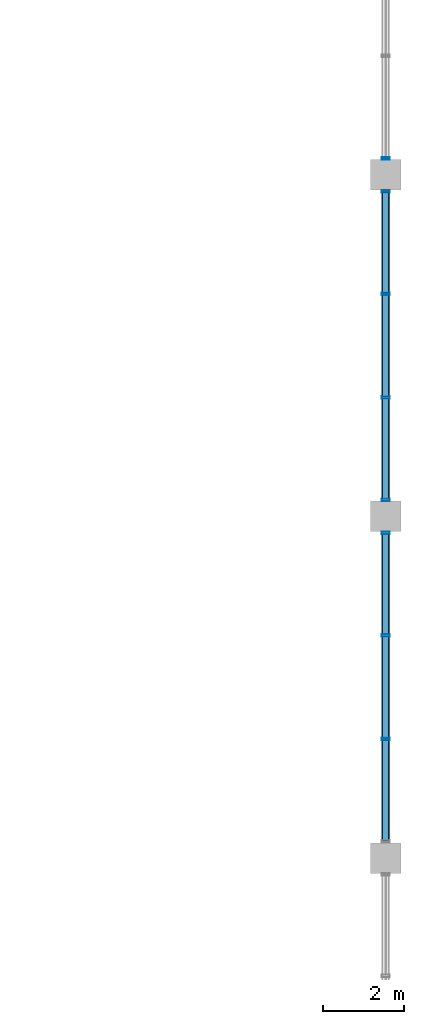
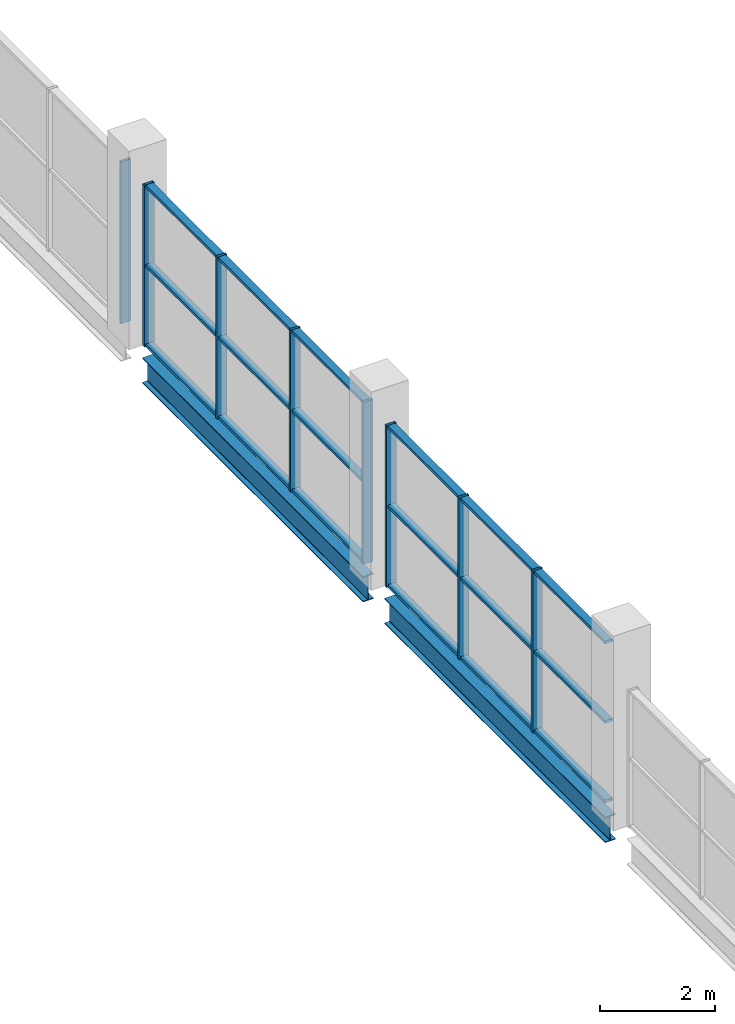
# One storey, part 25 of 68: 26 members, 2 beams, 3 elements without a shape of their own.
"""IFC4 building model written with IfcOpenShell, lengths in metres."""

from ifc_helpers import new_model, si_unit, direction, frame, origin, origin_2d, place, context, subcontext, project, spatial, hollow_rectangle, i_section, extrude, material, material_profile, profile_set, type_object, element, aggregate, save


model = new_model("IFC4")

# Units and contexts
model_context = context("Model", 3, precision=1e-05, world=origin(), true_north=direction((0.0, 1.0)))
body_context = subcontext(model_context, "Body", "Model", "MODEL_VIEW")
ifc_project = project(units=[si_unit("LENGTHUNIT", "METRE"), si_unit("AREAUNIT", "SQUARE_METRE"), si_unit("VOLUMEUNIT", "CUBIC_METRE"), si_unit("PLANEANGLEUNIT", "RADIAN"), si_unit("MASSUNIT", "GRAM", prefix="KILO"), si_unit("THERMODYNAMICTEMPERATUREUNIT", "KELVIN")], contexts=[model_context])

# Site, building, storey
site_placement = place(None, origin())
site = spatial("IfcSite", under=ifc_project, at=site_placement, CompositionType="ELEMENT")
building_placement = place(site_placement, origin())
building = spatial("IfcBuilding", under=site, at=building_placement, Name="Nduvali Passage Aquatics Centre", CompositionType="ELEMENT")
storey_placement = place(building_placement, frame((0.0, 0.0, 13.199951171875)))
storey = spatial("IfcBuildingStorey", under=building, at=storey_placement, Name="L03", CompositionType="ELEMENT", Elevation=13.199951171875)

# Curtain wall, members
ifc_material_1 = material(Name="Aluminium EN AW-6063 T6", Category="aluminium")
curtain_wall_type = type_object("IfcCurtainWallType", Name="ENV-CW-CLER", PredefinedType="NOTDEFINED", material=ifc_material_1)
curtain_wall_1_placement = place(storey_placement, origin())
curtain_wall_1 = element("IfcCurtainWall", 1, at=curtain_wall_1_placement, inside=storey, type_object=curtain_wall_type, Name="L03 East Passage Pool Hall High Arch Clerestory 021", PredefinedType="NOTDEFINED")
ifc_material_profile_1 = material_profile(ifc_material_1, hollow_rectangle(XDim=0.06005859375, YDim=0.199951171875, WallThickness=0.00390625, at=origin_2d()), Name="ALU MULLION 60x200x4")
ifc_profile_set_1 = profile_set([ifc_material_profile_1], Name="Aluminium EN AW-6063 T6")
member_type_1 = type_object("IfcMemberType", Name="ENV-MEM-MUL80", PredefinedType="MULLION", material=ifc_profile_set_1)
member_1_placement = place(storey_placement, frame((126.0, 36.52490234375, 0.0), z_axis=(0.0, 0.0, 1.0), x_axis=(0.0, 1.0, 0.0)))
member_1 = element("IfcMember", 2, at=member_1_placement, type_object=member_type_1, Name="East Passage Pool Hall High Arch Clerestory Mullion 2", PredefinedType="MULLION", context=body_context, shape_type="SweptSolid", body=[
    extrude(hollow_rectangle(XDim=0.06005859375, YDim=0.199951171875, WallThickness=0.00390625, at=origin_2d()), origin(), (0.0, 0.0, 1.0), 3.4267578125),
])
member_2_placement = place(storey_placement, frame((126.0, 39.074951171875, 0.0), z_axis=(0.0, 0.0, 1.0), x_axis=(0.0, 1.0, 0.0)))
member_2 = element("IfcMember", 3, at=member_2_placement, type_object=member_type_1, Name="East Passage Pool Hall High Arch Clerestory Mullion 3", PredefinedType="MULLION", context=body_context, shape_type="SweptSolid", body=[
    extrude(hollow_rectangle(XDim=0.06005859375, YDim=0.199951171875, WallThickness=0.00390625, at=origin_2d()), origin(), (0.0, 0.0, 1.0), 3.4267578125),
])
member_3_placement = place(storey_placement, frame((126.0, 41.594970703125, 0.0), z_axis=(0.0, 0.0, 1.0), x_axis=(0.0, 1.0, 0.0)))
member_3 = element("IfcMember", 4, at=member_3_placement, type_object=member_type_1, Name="East Passage Pool Hall High Arch Clerestory Mullion 4", PredefinedType="MULLION", context=body_context, shape_type="SweptSolid", body=[
    extrude(hollow_rectangle(XDim=0.06005859375, YDim=0.199951171875, WallThickness=0.00390625, at=origin_2d()), origin(), (0.0, 0.0, 1.0), 3.4267578125),
])

curtain_wall_2_placement = place(storey_placement, origin())
curtain_wall_2 = element("IfcCurtainWall", 5, at=curtain_wall_2_placement, inside=storey, type_object=curtain_wall_type, Name="L03 East Passage Pool Hall High Arch Clerestory 025", PredefinedType="NOTDEFINED")
member_4_placement = place(storey_placement, frame((126.0, 42.405029296875, 0.0), z_axis=(0.0, 0.0, 1.0), x_axis=(0.0, 1.0, 0.0)))
member_4 = element("IfcMember", 6, at=member_4_placement, type_object=member_type_1, Name="East Passage Pool Hall High Arch Clerestory Mullion 1", PredefinedType="MULLION", context=body_context, shape_type="SweptSolid", body=[
    extrude(hollow_rectangle(XDim=0.06005859375, YDim=0.199951171875, WallThickness=0.00390625, at=origin_2d()), origin(), (0.0, 0.0, 1.0), 3.4267578125),
])
member_5_placement = place(storey_placement, frame((126.0, 44.925048828125, 0.0), z_axis=(0.0, 0.0, 1.0), x_axis=(0.0, 1.0, 0.0)))
member_5 = element("IfcMember", 7, at=member_5_placement, type_object=member_type_1, Name="East Passage Pool Hall High Arch Clerestory Mullion 2", PredefinedType="MULLION", context=body_context, shape_type="SweptSolid", body=[
    extrude(hollow_rectangle(XDim=0.06005859375, YDim=0.199951171875, WallThickness=0.00390625, at=origin_2d()), origin(), (0.0, 0.0, 1.0), 3.4267578125),
])
member_6_placement = place(storey_placement, frame((126.0, 47.47509765625, 0.0), z_axis=(0.0, 0.0, 1.0), x_axis=(0.0, 1.0, 0.0)))
member_6 = element("IfcMember", 8, at=member_6_placement, type_object=member_type_1, Name="East Passage Pool Hall High Arch Clerestory Mullion 3", PredefinedType="MULLION", context=body_context, shape_type="SweptSolid", body=[
    extrude(hollow_rectangle(XDim=0.06005859375, YDim=0.199951171875, WallThickness=0.00390625, at=origin_2d()), origin(), (0.0, 0.0, 1.0), 3.4267578125),
])
member_7_placement = place(storey_placement, frame((126.0, 49.9951171875, 0.0), z_axis=(0.0, 0.0, 1.0), x_axis=(0.0, 1.0, 0.0)))
member_7 = element("IfcMember", 9, at=member_7_placement, type_object=member_type_1, Name="East Passage Pool Hall High Arch Clerestory Mullion 4", PredefinedType="MULLION", context=body_context, shape_type="SweptSolid", body=[
    extrude(hollow_rectangle(XDim=0.06005859375, YDim=0.199951171875, WallThickness=0.00390625, at=origin_2d()), origin(), (0.0, 0.0, 1.0), 3.4267578125),
])

# Curtain wall, member
curtain_wall_3_placement = place(storey_placement, origin())
curtain_wall_3 = element("IfcCurtainWall", 10, at=curtain_wall_3_placement, inside=storey, type_object=curtain_wall_type, Name="L03 East Passage Pool Hall High Arch Clerestory 029", PredefinedType="NOTDEFINED")
member_8_placement = place(storey_placement, frame((126.0, 50.804931640625, 0.0), z_axis=(0.0, 0.0, 1.0), x_axis=(0.0, 1.0, 0.0)))
member_8 = element("IfcMember", 11, at=member_8_placement, type_object=member_type_1, Name="East Passage Pool Hall High Arch Clerestory Mullion 1", PredefinedType="MULLION", context=body_context, shape_type="SweptSolid", body=[
    extrude(hollow_rectangle(XDim=0.06005859375, YDim=0.199951171875, WallThickness=0.00390625, at=origin_2d()), origin(), (0.0, 0.0, 1.0), 3.4267578125),
])
aggregate(curtain_wall_3, [member_8])

# Member
ifc_material_profile_2 = material_profile(ifc_material_1, hollow_rectangle(XDim=0.14990234375, YDim=0.06005859375, WallThickness=0.00390625, at=origin_2d()), Name="ALU TRANSOM 150x60x4")
ifc_profile_set_2 = profile_set([ifc_material_profile_2], Name="Aluminium EN AW-6063 T6")
member_type_2 = type_object("IfcMemberType", Name="ENV-MEM-TRN80", PredefinedType="USERDEFINED", material=ifc_profile_set_2)
member_9_placement = place(storey_placement, frame((126.0, 34.034912109375, 0.030029296875), z_axis=(0.0, 1.0, 0.0), x_axis=(-1.0, 0.0, 0.0)))
member_9 = element("IfcMember", 12, at=member_9_placement, type_object=member_type_2, Name="East Passage Pool Hall High Arch Clerestory Transom B1-R0", ObjectType="TRANSOM", PredefinedType="USERDEFINED", context=body_context, shape_type="SweptSolid", body=[
    extrude(hollow_rectangle(XDim=0.14990234375, YDim=0.06005859375, WallThickness=0.00390625, at=origin_2d()), origin(), (0.0, 0.0, 1.0), 2.460205078125),
])

member_10_placement = place(storey_placement, frame((126.0, 34.034912109375, 1.71337890625), z_axis=(0.0, 1.0, 0.0), x_axis=(-1.0, 0.0, 0.0)))
member_10 = element("IfcMember", 13, at=member_10_placement, type_object=member_type_2, Name="East Passage Pool Hall High Arch Clerestory Transom B1-R1", ObjectType="TRANSOM", PredefinedType="USERDEFINED", context=body_context, shape_type="SweptSolid", body=[
    extrude(hollow_rectangle(XDim=0.14990234375, YDim=0.06005859375, WallThickness=0.00390625, at=origin_2d()), origin(), (0.0, 0.0, 1.0), 2.460205078125),
])

member_11_placement = place(storey_placement, frame((126.0, 34.034912109375, 3.396728515625), z_axis=(0.0, 1.0, 0.0), x_axis=(-1.0, 0.0, 0.0)))
member_11 = element("IfcMember", 14, at=member_11_placement, type_object=member_type_2, Name="East Passage Pool Hall High Arch Clerestory Transom B1-R2", ObjectType="TRANSOM", PredefinedType="USERDEFINED", context=body_context, shape_type="SweptSolid", body=[
    extrude(hollow_rectangle(XDim=0.14990234375, YDim=0.06005859375, WallThickness=0.00390625, at=origin_2d()), origin(), (0.0, 0.0, 1.0), 2.460205078125),
])

member_12_placement = place(storey_placement, frame((126.0, 36.554931640625, 0.030029296875), z_axis=(0.0, 1.0, 0.0), x_axis=(-1.0, 0.0, 0.0)))
member_12 = element("IfcMember", 15, at=member_12_placement, type_object=member_type_2, Name="East Passage Pool Hall High Arch Clerestory Transom B2-R0", ObjectType="TRANSOM", PredefinedType="USERDEFINED", context=body_context, shape_type="SweptSolid", body=[
    extrude(hollow_rectangle(XDim=0.14990234375, YDim=0.06005859375, WallThickness=0.00390625, at=origin_2d()), origin(), (0.0, 0.0, 1.0), 2.489990234375),
])

member_13_placement = place(storey_placement, frame((126.0, 36.554931640625, 1.71337890625), z_axis=(0.0, 1.0, 0.0), x_axis=(-1.0, 0.0, 0.0)))
member_13 = element("IfcMember", 16, at=member_13_placement, type_object=member_type_2, Name="East Passage Pool Hall High Arch Clerestory Transom B2-R1", ObjectType="TRANSOM", PredefinedType="USERDEFINED", context=body_context, shape_type="SweptSolid", body=[
    extrude(hollow_rectangle(XDim=0.14990234375, YDim=0.06005859375, WallThickness=0.00390625, at=origin_2d()), origin(), (0.0, 0.0, 1.0), 2.489990234375),
])

member_14_placement = place(storey_placement, frame((126.0, 36.554931640625, 3.396728515625), z_axis=(0.0, 1.0, 0.0), x_axis=(-1.0, 0.0, 0.0)))
member_14 = element("IfcMember", 17, at=member_14_placement, type_object=member_type_2, Name="East Passage Pool Hall High Arch Clerestory Transom B2-R2", ObjectType="TRANSOM", PredefinedType="USERDEFINED", context=body_context, shape_type="SweptSolid", body=[
    extrude(hollow_rectangle(XDim=0.14990234375, YDim=0.06005859375, WallThickness=0.00390625, at=origin_2d()), origin(), (0.0, 0.0, 1.0), 2.489990234375),
])

member_15_placement = place(storey_placement, frame((126.0, 39.10498046875, 0.030029296875), z_axis=(0.0, 1.0, 0.0), x_axis=(-1.0, 0.0, 0.0)))
member_15 = element("IfcMember", 18, at=member_15_placement, type_object=member_type_2, Name="East Passage Pool Hall High Arch Clerestory Transom B3-R0", ObjectType="TRANSOM", PredefinedType="USERDEFINED", context=body_context, shape_type="SweptSolid", body=[
    extrude(hollow_rectangle(XDim=0.14990234375, YDim=0.06005859375, WallThickness=0.00390625, at=origin_2d()), origin(), (0.0, 0.0, 1.0), 2.4599609375),
])

member_16_placement = place(storey_placement, frame((126.0, 39.10498046875, 1.71337890625), z_axis=(0.0, 1.0, 0.0), x_axis=(-1.0, 0.0, 0.0)))
member_16 = element("IfcMember", 19, at=member_16_placement, type_object=member_type_2, Name="East Passage Pool Hall High Arch Clerestory Transom B3-R1", ObjectType="TRANSOM", PredefinedType="USERDEFINED", context=body_context, shape_type="SweptSolid", body=[
    extrude(hollow_rectangle(XDim=0.14990234375, YDim=0.06005859375, WallThickness=0.00390625, at=origin_2d()), origin(), (0.0, 0.0, 1.0), 2.4599609375),
])

member_17_placement = place(storey_placement, frame((126.0, 39.10498046875, 3.396728515625), z_axis=(0.0, 1.0, 0.0), x_axis=(-1.0, 0.0, 0.0)))
member_17 = element("IfcMember", 20, at=member_17_placement, type_object=member_type_2, Name="East Passage Pool Hall High Arch Clerestory Transom B3-R2", ObjectType="TRANSOM", PredefinedType="USERDEFINED", context=body_context, shape_type="SweptSolid", body=[
    extrude(hollow_rectangle(XDim=0.14990234375, YDim=0.06005859375, WallThickness=0.00390625, at=origin_2d()), origin(), (0.0, 0.0, 1.0), 2.4599609375),
])

aggregate(curtain_wall_1, [member_1, member_2, member_3, member_9, member_10, member_11, member_12, member_13, member_14, member_15, member_16, member_17])

member_18_placement = place(storey_placement, frame((126.0, 42.43505859375, 0.030029296875), z_axis=(0.0, 1.0, 0.0), x_axis=(-1.0, 0.0, 0.0)))
member_18 = element("IfcMember", 21, at=member_18_placement, type_object=member_type_2, Name="East Passage Pool Hall High Arch Clerestory Transom B1-R0", ObjectType="TRANSOM", PredefinedType="USERDEFINED", context=body_context, shape_type="SweptSolid", body=[
    extrude(hollow_rectangle(XDim=0.14990234375, YDim=0.06005859375, WallThickness=0.00390625, at=origin_2d()), origin(), (0.0, 0.0, 1.0), 2.4599609375),
])

member_19_placement = place(storey_placement, frame((126.0, 42.43505859375, 1.71337890625), z_axis=(0.0, 1.0, 0.0), x_axis=(-1.0, 0.0, 0.0)))
member_19 = element("IfcMember", 22, at=member_19_placement, type_object=member_type_2, Name="East Passage Pool Hall High Arch Clerestory Transom B1-R1", ObjectType="TRANSOM", PredefinedType="USERDEFINED", context=body_context, shape_type="SweptSolid", body=[
    extrude(hollow_rectangle(XDim=0.14990234375, YDim=0.06005859375, WallThickness=0.00390625, at=origin_2d()), origin(), (0.0, 0.0, 1.0), 2.4599609375),
])

member_20_placement = place(storey_placement, frame((126.0, 42.43505859375, 3.396728515625), z_axis=(0.0, 1.0, 0.0), x_axis=(-1.0, 0.0, 0.0)))
member_20 = element("IfcMember", 23, at=member_20_placement, type_object=member_type_2, Name="East Passage Pool Hall High Arch Clerestory Transom B1-R2", ObjectType="TRANSOM", PredefinedType="USERDEFINED", context=body_context, shape_type="SweptSolid", body=[
    extrude(hollow_rectangle(XDim=0.14990234375, YDim=0.06005859375, WallThickness=0.00390625, at=origin_2d()), origin(), (0.0, 0.0, 1.0), 2.4599609375),
])

member_21_placement = place(storey_placement, frame((126.0, 44.955078125, 0.030029296875), z_axis=(0.0, 1.0, 0.0), x_axis=(-1.0, 0.0, 0.0)))
member_21 = element("IfcMember", 24, at=member_21_placement, type_object=member_type_2, Name="East Passage Pool Hall High Arch Clerestory Transom B2-R0", ObjectType="TRANSOM", PredefinedType="USERDEFINED", context=body_context, shape_type="SweptSolid", body=[
    extrude(hollow_rectangle(XDim=0.14990234375, YDim=0.06005859375, WallThickness=0.00390625, at=origin_2d()), origin(), (0.0, 0.0, 1.0), 2.489990234375),
])

member_22_placement = place(storey_placement, frame((126.0, 44.955078125, 1.71337890625), z_axis=(0.0, 1.0, 0.0), x_axis=(-1.0, 0.0, 0.0)))
member_22 = element("IfcMember", 25, at=member_22_placement, type_object=member_type_2, Name="East Passage Pool Hall High Arch Clerestory Transom B2-R1", ObjectType="TRANSOM", PredefinedType="USERDEFINED", context=body_context, shape_type="SweptSolid", body=[
    extrude(hollow_rectangle(XDim=0.14990234375, YDim=0.06005859375, WallThickness=0.00390625, at=origin_2d()), origin(), (0.0, 0.0, 1.0), 2.489990234375),
])

member_23_placement = place(storey_placement, frame((126.0, 44.955078125, 3.396728515625), z_axis=(0.0, 1.0, 0.0), x_axis=(-1.0, 0.0, 0.0)))
member_23 = element("IfcMember", 26, at=member_23_placement, type_object=member_type_2, Name="East Passage Pool Hall High Arch Clerestory Transom B2-R2", ObjectType="TRANSOM", PredefinedType="USERDEFINED", context=body_context, shape_type="SweptSolid", body=[
    extrude(hollow_rectangle(XDim=0.14990234375, YDim=0.06005859375, WallThickness=0.00390625, at=origin_2d()), origin(), (0.0, 0.0, 1.0), 2.489990234375),
])

member_24_placement = place(storey_placement, frame((126.0, 47.5048828125, 0.030029296875), z_axis=(0.0, 1.0, 0.0), x_axis=(-1.0, 0.0, 0.0)))
member_24 = element("IfcMember", 27, at=member_24_placement, type_object=member_type_2, Name="East Passage Pool Hall High Arch Clerestory Transom B3-R0", ObjectType="TRANSOM", PredefinedType="USERDEFINED", context=body_context, shape_type="SweptSolid", body=[
    extrude(hollow_rectangle(XDim=0.14990234375, YDim=0.06005859375, WallThickness=0.00390625, at=origin_2d()), origin(), (0.0, 0.0, 1.0), 2.460205078125),
])

member_25_placement = place(storey_placement, frame((126.0, 47.5048828125, 1.71337890625), z_axis=(0.0, 1.0, 0.0), x_axis=(-1.0, 0.0, 0.0)))
member_25 = element("IfcMember", 28, at=member_25_placement, type_object=member_type_2, Name="East Passage Pool Hall High Arch Clerestory Transom B3-R1", ObjectType="TRANSOM", PredefinedType="USERDEFINED", context=body_context, shape_type="SweptSolid", body=[
    extrude(hollow_rectangle(XDim=0.14990234375, YDim=0.06005859375, WallThickness=0.00390625, at=origin_2d()), origin(), (0.0, 0.0, 1.0), 2.460205078125),
])

member_26_placement = place(storey_placement, frame((126.0, 47.5048828125, 3.396728515625), z_axis=(0.0, 1.0, 0.0), x_axis=(-1.0, 0.0, 0.0)))
member_26 = element("IfcMember", 29, at=member_26_placement, type_object=member_type_2, Name="East Passage Pool Hall High Arch Clerestory Transom B3-R2", ObjectType="TRANSOM", PredefinedType="USERDEFINED", context=body_context, shape_type="SweptSolid", body=[
    extrude(hollow_rectangle(XDim=0.14990234375, YDim=0.06005859375, WallThickness=0.00390625, at=origin_2d()), origin(), (0.0, 0.0, 1.0), 2.460205078125),
])

aggregate(curtain_wall_2, [member_4, member_5, member_6, member_7, member_18, member_19, member_20, member_21, member_22, member_23, member_24, member_25, member_26])

# Beams
ifc_material_2 = material(Name="Steel S355", Category="steel")
ifc_material_profile_3 = material_profile(ifc_material_2, i_section(OverallWidth=0.210693359375, OverallDepth=0.53955078125, WebThickness=0.01171875, FlangeThickness=0.018798828125, FilletRadius=0.0126953125, at=origin_2d()), Name="UKB 533x210x109")
ifc_profile_set_3 = profile_set([ifc_material_profile_3], Name="Steel S355")
beam_type = type_object("IfcBeamType", Name="STR-BM-UKB533-EXT", PredefinedType="BEAM", material=ifc_profile_set_3)
for number, where, z_axis, x_axis, name in (
    (30, (126.0, 33.97509765625, -0.523681640625), (0.0, 1.0, 0.0), (-1.0, 0.0, 0.0), "L03 Primary Y-Girder B6E-1274"),
    (31, (126.0, 42.375, -0.523681640625), (0.0, 1.0, 0.0), (-1.0, 0.0, 0.0), "L03 Primary Y-Girder B6E-1275"),
):
    element("IfcBeam", number, at=place(storey_placement, frame(where, z_axis=z_axis, x_axis=x_axis)), inside=storey, type_object=beam_type, Name=name, PredefinedType="BEAM", context=body_context, shape_type="SweptSolid", body=[
        extrude(i_section(OverallWidth=0.210693359375, OverallDepth=0.53955078125, WebThickness=0.01171875, FlangeThickness=0.018798828125, FilletRadius=0.0126953125, at=origin_2d()), origin(), (0.0, 0.0, 1.0), 7.64990234375),
    ])

save(model, "model.ifc")
